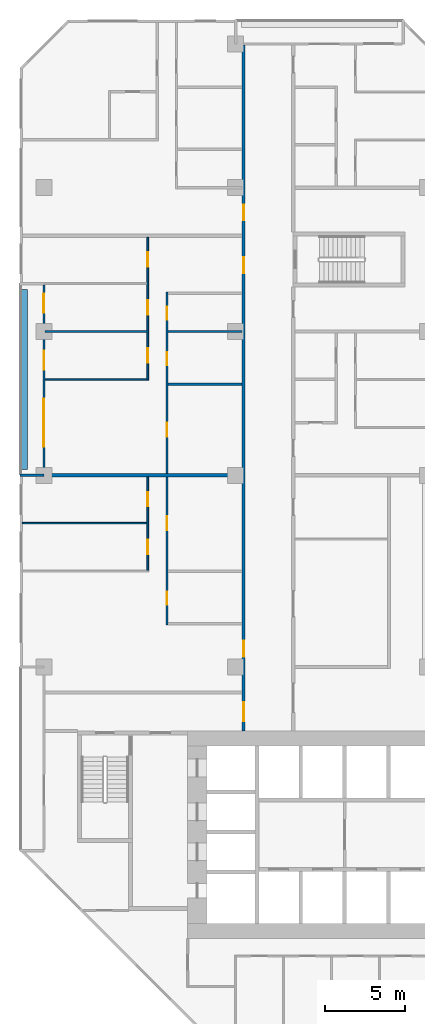
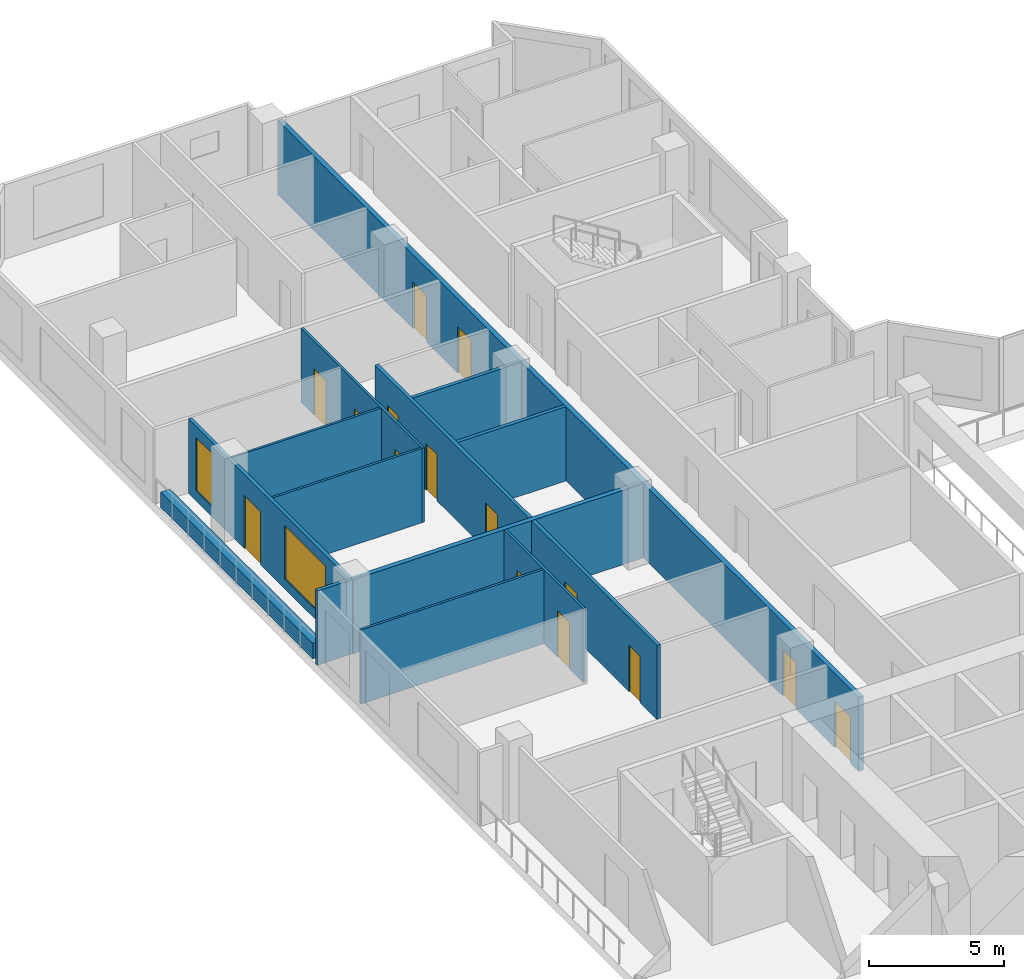
# One storey, part 9 of 15: 15 doors, 14 walls, 2 windows, 17 openings.
"""IFC4 building model written with IfcOpenShell, lengths in metres."""

from ifc_helpers import new_model, si_unit, direction, frame, frame_2d, origin, place, context, subcontext, project, spatial, rectangle, extrude, material, layer, layer_set, type_object, element, fill, save


model = new_model("IFC4")

# Units and contexts
model_context = context("Model", 3, precision=1e-05, world=origin(), true_north=direction((0.0, 1.0)))
body_context = subcontext(model_context, "Body", "Model", "MODEL_VIEW")
ifc_project = project(units=[si_unit("LENGTHUNIT", "METRE"), si_unit("AREAUNIT", "SQUARE_METRE"), si_unit("VOLUMEUNIT", "CUBIC_METRE"), si_unit("PLANEANGLEUNIT", "RADIAN"), si_unit("MASSUNIT", "GRAM", prefix="KILO")], contexts=[model_context])

# Site, building, storey
site_placement = place(None, origin())
site = spatial("IfcSite", under=ifc_project, at=site_placement, CompositionType="ELEMENT")
building_placement = place(site_placement, origin())
building = spatial("IfcBuilding", under=site, at=building_placement, Name="Chenar Terraces", CompositionType="ELEMENT")
storey_placement = place(building_placement, frame((0.0, 0.0, 118.14990234375)))
storey = spatial("IfcBuildingStorey", under=building, at=storey_placement, Name="L27", CompositionType="ELEMENT", Elevation=118.14990234375)

# Wall, openings, doors
ifc_material_1 = material(Name="Gypsum board on steel studs with fire boards", Category="steel")
ifc_layer_1 = layer(ifc_material_1, 0.199951171875)
ifc_layer_set_1 = layer_set([ifc_layer_1], Name="Gypsum board on steel studs with fire boards")
wall_type_1 = type_object("IfcWallType", Name="Corridor wall 200", PredefinedType="PARTITIONING", material=ifc_layer_set_1)
wall_1_placement = place(storey_placement, frame((12.5, 20.0, 0.0), z_axis=(0.0, 0.0, 1.0), x_axis=(0.0, 1.0, 0.0)))
wall_1 = element("IfcWall", 1, at=wall_1_placement, inside=storey, type_object=wall_type_1, Name="Partition L27-032", PredefinedType="PARTITIONING", context=body_context, shape_type="SweptSolid", body=[
    extrude(rectangle(XDim=42.926025390625, YDim=0.199951171875, at=frame_2d((21.462890625, 0.0))), origin(), (0.0, 0.0, 1.0), 3.35009765625),
])
opening_1_placement = place(wall_1_placement, frame((28.64990234375, 0.0, 0.0)))
opening_1 = element("IfcOpeningElement", 2, at=opening_1_placement, cuts=wall_1, Name="Opening DL27-43", PredefinedType="OPENING", context=body_context, shape_type="SweptSolid", body=[
    extrude(rectangle(XDim=1.0, YDim=2.10009765625, at=frame_2d((0.5, 1.050048828125))), frame((0.0, 0.10986328125, 0.0), z_axis=(0.0, -1.0, 0.0), x_axis=(1.0, 0.0, 0.0)), (0.0, 0.0, 1.0), 0.219970703125),
])
opening_2_placement = place(wall_1_placement, frame((31.949951171875, 0.0, 0.0)))
opening_2 = element("IfcOpeningElement", 3, at=opening_2_placement, cuts=wall_1, Name="Opening DL27-51", PredefinedType="OPENING", context=body_context, shape_type="SweptSolid", body=[
    extrude(rectangle(XDim=1.0, YDim=2.10009765625, at=frame_2d((0.5, 1.050048828125))), frame((0.0, 0.10986328125, 0.0), z_axis=(0.0, -1.0, 0.0), x_axis=(1.0, 0.0, 0.0)), (0.0, 0.0, 1.0), 0.219970703125),
])
opening_3_placement = place(wall_1_placement, frame((0.60009765625, 0.0, 0.0)))
opening_3 = element("IfcOpeningElement", 4, at=opening_3_placement, cuts=wall_1, Name="Opening DL27-54", PredefinedType="OPENING", context=body_context, shape_type="SweptSolid", body=[
    extrude(rectangle(XDim=1.199951171875, YDim=2.10009765625, at=frame_2d((0.60009765625, 1.050048828125))), frame((0.0, 0.10986328125, 0.0), z_axis=(0.0, -1.0, 0.0), x_axis=(1.0, 0.0, 0.0)), (0.0, 0.0, 1.0), 0.219970703125),
])
opening_4_placement = place(wall_1_placement, frame((4.64990234375, 0.0, 0.0)))
opening_4 = element("IfcOpeningElement", 5, at=opening_4_placement, cuts=wall_1, Name="Opening DL27-74", PredefinedType="OPENING", context=body_context, shape_type="SweptSolid", body=[
    extrude(rectangle(XDim=1.0, YDim=2.10009765625, at=frame_2d((0.5, 1.050048828125))), frame((0.0, 0.10986328125, 0.0), z_axis=(0.0, -1.0, 0.0), x_axis=(1.0, 0.0, 0.0)), (0.0, 0.0, 1.0), 0.219970703125),
])
ifc_material_2 = material(Name="Steel-framed fire-resisting door leaf", Category="steel")
door_type_1 = type_object("IfcDoorType", Name="Fire door FD30S 1000 x 2100", OperationType="SINGLE_SWING_LEFT", PredefinedType="DOOR", material=ifc_material_2)
door_1_placement = place(opening_1_placement, origin())
door_1 = element("IfcDoor", 6, at=door_1_placement, inside=storey, type_object=door_type_1, Name="Door DL27-43", OperationType="SINGLE_SWING_LEFT", OverallHeight=2.10009765625, OverallWidth=1.0, PredefinedType="DOOR", context=body_context, shape_type="SweptSolid", body=[
    extrude(rectangle(XDim=1.0, YDim=2.10009765625, at=frame_2d((0.5, 1.050048828125))), frame((0.0, 0.02490234375, 0.0), z_axis=(0.0, -1.0, 0.0), x_axis=(1.0, 0.0, 0.0)), (0.0, 0.0, 1.0), 0.050048828125),
])
fill(opening_1, door_1)
door_2_placement = place(opening_2_placement, origin())
door_2 = element("IfcDoor", 7, at=door_2_placement, inside=storey, type_object=door_type_1, Name="Door DL27-51", OperationType="SINGLE_SWING_RIGHT", OverallHeight=2.10009765625, OverallWidth=1.0, PredefinedType="DOOR", context=body_context, shape_type="SweptSolid", body=[
    extrude(rectangle(XDim=1.0, YDim=2.10009765625, at=frame_2d((0.5, 1.050048828125))), frame((0.0, 0.02490234375, 0.0), z_axis=(0.0, -1.0, 0.0), x_axis=(1.0, 0.0, 0.0)), (0.0, 0.0, 1.0), 0.050048828125),
])
fill(opening_2, door_2)
door_3_placement = place(opening_4_placement, origin())
door_3 = element("IfcDoor", 8, at=door_3_placement, inside=storey, type_object=door_type_1, Name="Door DL27-74", OperationType="SINGLE_SWING_LEFT", OverallHeight=2.10009765625, OverallWidth=1.0, PredefinedType="DOOR", context=body_context, shape_type="SweptSolid", body=[
    extrude(rectangle(XDim=1.0, YDim=2.10009765625, at=frame_2d((0.5, 1.050048828125))), frame((0.0, 0.02490234375, 0.0), z_axis=(0.0, -1.0, 0.0), x_axis=(1.0, 0.0, 0.0)), (0.0, 0.0, 1.0), 0.050048828125),
])
fill(opening_4, door_3)
ifc_material_3 = material(Name="Steel-framed fire-resisting door leaf", Category="steel")
door_type_2 = type_object("IfcDoorType", Name="Fire door FD30S 1200 x 2100", OperationType="SINGLE_SWING_LEFT", PredefinedType="DOOR", material=ifc_material_3)
door_4_placement = place(opening_3_placement, origin())
door_4 = element("IfcDoor", 9, at=door_4_placement, inside=storey, type_object=door_type_2, Name="Door DL27-54", OperationType="SINGLE_SWING_RIGHT", OverallHeight=2.10009765625, OverallWidth=1.199951171875, PredefinedType="DOOR", context=body_context, shape_type="SweptSolid", body=[
    extrude(rectangle(XDim=1.199951171875, YDim=2.10009765625, at=frame_2d((0.60009765625, 1.050048828125))), frame((0.0, 0.02490234375, 0.0), z_axis=(0.0, -1.0, 0.0), x_axis=(1.0, 0.0, 0.0)), (0.0, 0.0, 1.0), 0.050048828125),
])
fill(opening_3, door_4)

# Wall, openings, windows, door
ifc_material_4 = material(Name="Aluminium framed glazing", Category="aluminium")
ifc_layer_2 = layer(ifc_material_4, 0.14990234375)
ifc_layer_set_2 = layer_set([ifc_layer_2], Name="Aluminium framed glazing")
wall_type_2 = type_object("IfcWallType", Name="Glazed loggia back wall 150", PredefinedType="SOLIDWALL", material=ifc_layer_set_2)
wall_2_placement = place(storey_placement, frame((0.0, 47.925048828125, 0.0), z_axis=(0.0, 0.0, 1.0), x_axis=(0.0, -1.0, 0.0)))
wall_2 = element("IfcWall", 10, at=wall_2_placement, inside=storey, type_object=wall_type_2, Name="Glazed loggia back wall", PredefinedType="SOLIDWALL", context=body_context, shape_type="SweptSolid", body=[
    extrude(rectangle(XDim=11.85009765625, YDim=0.14990234375, at=frame_2d((5.925048828125, 0.0))), origin(), (0.0, 0.0, 1.0), 3.35009765625),
])
opening_5_placement = place(wall_2_placement, frame((0.5625, 0.0, 0.449951171875)))
opening_5 = element("IfcOpeningElement", 11, at=opening_5_placement, cuts=wall_2, Name="Opening W120x240", PredefinedType="OPENING", context=body_context, shape_type="SweptSolid", body=[
    extrude(rectangle(XDim=1.199951171875, YDim=2.39990234375, at=frame_2d((0.60009765625, 1.199951171875))), frame((0.0, 0.0849609375, 0.0), z_axis=(0.0, -1.0, 0.0), x_axis=(1.0, 0.0, 0.0)), (0.0, 0.0, 1.0), 0.169921875),
])
opening_6_placement = place(wall_2_placement, frame((4.125, 0.0, 0.0)))
opening_6 = element("IfcOpeningElement", 12, at=opening_6_placement, cuts=wall_2, Name="Opening DL27-G4", PredefinedType="OPENING", context=body_context, shape_type="SweptSolid", body=[
    extrude(rectangle(XDim=1.199951171875, YDim=2.39990234375, at=frame_2d((0.60009765625, 1.199951171875))), frame((0.0, 0.0849609375, 0.0), z_axis=(0.0, -1.0, 0.0), x_axis=(1.0, 0.0, 0.0)), (0.0, 0.0, 1.0), 0.169921875),
])
opening_7_placement = place(wall_2_placement, frame((7.125, 0.0, 0.449951171875)))
opening_7 = element("IfcOpeningElement", 13, at=opening_7_placement, cuts=wall_2, Name="Opening W300x240", PredefinedType="OPENING", context=body_context, shape_type="SweptSolid", body=[
    extrude(rectangle(XDim=3.0, YDim=2.39990234375, at=frame_2d((1.5, 1.199951171875))), frame((0.0, 0.0849609375, 0.0), z_axis=(0.0, -1.0, 0.0), x_axis=(1.0, 0.0, 0.0)), (0.0, 0.0, 1.0), 0.169921875),
])
ifc_material_5 = material(Name="Low emissivity double glazing, aluminium frame", Category="aluminium")
window_type_1 = type_object("IfcWindowType", Name="Fixed light 1200 x 2400", PartitioningType="SINGLE_PANEL", PredefinedType="WINDOW", material=ifc_material_5)
window_1_placement = place(opening_5_placement, origin())
window_1 = element("IfcWindow", 14, at=window_1_placement, inside=storey, type_object=window_type_1, Name="Window", OverallHeight=2.39990234375, OverallWidth=1.199951171875, PartitioningType="SINGLE_PANEL", PredefinedType="WINDOW", context=body_context, shape_type="SweptSolid", body=[
    extrude(rectangle(XDim=1.199951171875, YDim=2.39990234375, at=frame_2d((0.60009765625, 1.199951171875))), frame((0.0, 0.030029296875, 0.0), z_axis=(0.0, -1.0, 0.0), x_axis=(1.0, 0.0, 0.0)), (0.0, 0.0, 1.0), 0.06005859375),
])
fill(opening_5, window_1)
ifc_material_6 = material(Name="Low emissivity double glazing, aluminium frame", Category="aluminium")
window_type_2 = type_object("IfcWindowType", Name="Fixed light 3000 x 2400", PartitioningType="SINGLE_PANEL", PredefinedType="WINDOW", material=ifc_material_6)
window_2_placement = place(opening_7_placement, origin())
window_2 = element("IfcWindow", 15, at=window_2_placement, inside=storey, type_object=window_type_2, Name="Window", OverallHeight=2.39990234375, OverallWidth=3.0, PartitioningType="SINGLE_PANEL", PredefinedType="WINDOW", context=body_context, shape_type="SweptSolid", body=[
    extrude(rectangle(XDim=3.0, YDim=2.39990234375, at=frame_2d((1.5, 1.199951171875))), frame((0.0, 0.030029296875, 0.0), z_axis=(0.0, -1.0, 0.0), x_axis=(1.0, 0.0, 0.0)), (0.0, 0.0, 1.0), 0.06005859375),
])
fill(opening_7, window_2)
ifc_material_7 = material(Name="Low emissivity double glazing, aluminium frame", Category="aluminium")
door_type_3 = type_object("IfcDoorType", Name="Loggia glazed double door 1200 x 2400", OperationType="DOUBLE_DOOR_SINGLE_SWING", PredefinedType="DOOR", material=ifc_material_7)
door_5_placement = place(opening_6_placement, frame((1.199951171875, 0.0, 0.0), z_axis=(0.0, 0.0, 1.0), x_axis=(-1.0, 0.0, 0.0)))
door_5 = element("IfcDoor", 16, at=door_5_placement, inside=storey, type_object=door_type_3, Name="Loggia glazed door", OperationType="DOUBLE_DOOR_SINGLE_SWING", OverallHeight=2.39990234375, OverallWidth=1.199951171875, PredefinedType="DOOR", context=body_context, shape_type="SweptSolid", body=[
    extrude(rectangle(XDim=1.199951171875, YDim=2.39990234375, at=frame_2d((0.60009765625, 1.199951171875))), frame((0.0, 0.02490234375, 0.0), z_axis=(0.0, -1.0, 0.0), x_axis=(1.0, 0.0, 0.0)), (0.0, 0.0, 1.0), 0.050048828125),
])
fill(opening_6, door_5)

# Walls
ifc_material_8 = material(Name="Gypsum board on steel studs", Category="steel")
ifc_layer_3 = layer(ifc_material_8, 0.10009765625)
ifc_layer_set_3 = layer_set([ifc_layer_3], Name="Gypsum board on steel studs")
wall_type_3 = type_object("IfcWallType", Name="Gypsum partition 100", PredefinedType="PARTITIONING", material=ifc_layer_set_3)
wall_3_placement = place(storey_placement, frame((-1.35107421875, 33.0, 0.0), z_axis=(0.0, 0.0, 1.0), x_axis=(1.0, 0.0, 0.0)))
element("IfcWall", 17, at=wall_3_placement, inside=storey, type_object=wall_type_3, Name="Partition L27-001", PredefinedType="PARTITIONING", context=body_context, shape_type="SweptSolid", body=[
    extrude(rectangle(XDim=7.801025390625, YDim=0.10009765625, at=frame_2d((3.900390625, 0.0))), origin(), (0.0, 0.0, 1.0), 3.35009765625),
])
for number, where, z_axis, x_axis, name in (
    (18, (0.073974609375, 42.0, 0.0), (0.0, 0.0, 1.0), (1.0, 0.0, 0.0), "Partition L27-009"),
    (19, (0.073974609375, 45.0, 0.0), (0.0, 0.0, 1.0), (1.0, 0.0, 0.0), "Partition L27-010"),
):
    element("IfcWall", number, at=place(storey_placement, frame(where, z_axis=z_axis, x_axis=x_axis)), inside=storey, type_object=wall_type_3, Name=name, PredefinedType="PARTITIONING", context=body_context, shape_type="SweptSolid", body=[
        extrude(rectangle(XDim=6.3759765625, YDim=0.10009765625, at=frame_2d((3.18798828125, 0.0))), origin(), (0.0, 0.0, 1.0), 3.35009765625),
    ])

# Wall, openings, doors
wall_4_placement = place(storey_placement, frame((6.5, 30.050048828125, 0.0), z_axis=(0.0, 0.0, 1.0), x_axis=(0.0, 1.0, 0.0)))
wall_4 = element("IfcWall", 20, at=wall_4_placement, inside=storey, type_object=wall_type_3, Name="Partition L27-014", PredefinedType="PARTITIONING", context=body_context, shape_type="SweptSolid", body=[
    extrude(rectangle(XDim=5.849853515625, YDim=0.10009765625, at=frame_2d((2.9248046875, 0.0))), origin(), (0.0, 0.0, 1.0), 3.35009765625),
])
opening_8_placement = place(wall_4_placement, frame((1.0, 0.0, 0.0)))
opening_8 = element("IfcOpeningElement", 21, at=opening_8_placement, cuts=wall_4, Name="Opening DL27-71", PredefinedType="OPENING", context=body_context, shape_type="SweptSolid", body=[
    extrude(rectangle(XDim=0.89990234375, YDim=2.10009765625, at=frame_2d((0.449951171875, 1.050048828125))), frame((0.0, 0.06005859375, 0.0), z_axis=(0.0, -1.0, 0.0), x_axis=(1.0, 0.0, 0.0)), (0.0, 0.0, 1.0), 0.1201171875),
])
opening_9_placement = place(wall_4_placement, frame((4.0, 0.0, 0.0)))
opening_9 = element("IfcOpeningElement", 22, at=opening_9_placement, cuts=wall_4, Name="Opening DL27-72", PredefinedType="OPENING", context=body_context, shape_type="SweptSolid", body=[
    extrude(rectangle(XDim=0.89990234375, YDim=2.10009765625, at=frame_2d((0.449951171875, 1.050048828125))), frame((0.0, 0.06005859375, 0.0), z_axis=(0.0, -1.0, 0.0), x_axis=(1.0, 0.0, 0.0)), (0.0, 0.0, 1.0), 0.1201171875),
])
ifc_material_9 = material(Name="Veneered timber door leaf", Category="wood")
door_type_4 = type_object("IfcDoorType", Name="Door 900 x 2100", OperationType="SINGLE_SWING_LEFT", PredefinedType="DOOR", material=ifc_material_9)
door_6_placement = place(opening_8_placement, origin())
door_6 = element("IfcDoor", 23, at=door_6_placement, inside=storey, type_object=door_type_4, Name="Door DL27-71", OperationType="SINGLE_SWING_RIGHT", OverallHeight=2.10009765625, OverallWidth=0.89990234375, PredefinedType="DOOR", context=body_context, shape_type="SweptSolid", body=[
    extrude(rectangle(XDim=0.89990234375, YDim=2.10009765625, at=frame_2d((0.449951171875, 1.050048828125))), frame((0.0, 0.02490234375, 0.0), z_axis=(0.0, -1.0, 0.0), x_axis=(1.0, 0.0, 0.0)), (0.0, 0.0, 1.0), 0.050048828125),
])
fill(opening_8, door_6)
door_7_placement = place(opening_9_placement, origin())
door_7 = element("IfcDoor", 24, at=door_7_placement, inside=storey, type_object=door_type_4, Name="Door DL27-72", OperationType="SINGLE_SWING_RIGHT", OverallHeight=2.10009765625, OverallWidth=0.89990234375, PredefinedType="DOOR", context=body_context, shape_type="SweptSolid", body=[
    extrude(rectangle(XDim=0.89990234375, YDim=2.10009765625, at=frame_2d((0.449951171875, 1.050048828125))), frame((0.0, 0.02490234375, 0.0), z_axis=(0.0, -1.0, 0.0), x_axis=(1.0, 0.0, 0.0)), (0.0, 0.0, 1.0), 0.050048828125),
])
fill(opening_9, door_7)

wall_5_placement = place(storey_placement, frame((6.5, 41.949951171875, 0.0), z_axis=(0.0, 0.0, 1.0), x_axis=(0.0, 1.0, 0.0)))
wall_5 = element("IfcWall", 25, at=wall_5_placement, inside=storey, type_object=wall_type_3, Name="Partition L27-015", PredefinedType="PARTITIONING", context=body_context, shape_type="SweptSolid", body=[
    extrude(rectangle(XDim=8.949951171875, YDim=0.10009765625, at=frame_2d((4.47509765625, 0.0))), origin(), (0.0, 0.0, 1.0), 3.35009765625),
])
opening_10_placement = place(wall_5_placement, frame((1.10009765625, 0.0, 0.0)))
opening_10 = element("IfcOpeningElement", 26, at=opening_10_placement, cuts=wall_5, Name="Opening DL27-40", PredefinedType="OPENING", context=body_context, shape_type="SweptSolid", body=[
    extrude(rectangle(XDim=0.89990234375, YDim=2.10009765625, at=frame_2d((0.449951171875, 1.050048828125))), frame((0.0, 0.06005859375, 0.0), z_axis=(0.0, -1.0, 0.0), x_axis=(1.0, 0.0, 0.0)), (0.0, 0.0, 1.0), 0.1201171875),
])
opening_11_placement = place(wall_5_placement, frame((7.10009765625, 0.0, 0.0)))
opening_11 = element("IfcOpeningElement", 27, at=opening_11_placement, cuts=wall_5, Name="Opening DL27-41", PredefinedType="OPENING", context=body_context, shape_type="SweptSolid", body=[
    extrude(rectangle(XDim=0.89990234375, YDim=2.10009765625, at=frame_2d((0.449951171875, 1.050048828125))), frame((0.0, 0.06005859375, 0.0), z_axis=(0.0, -1.0, 0.0), x_axis=(1.0, 0.0, 0.0)), (0.0, 0.0, 1.0), 0.1201171875),
])
opening_12_placement = place(wall_5_placement, frame((4.10009765625, 0.0, 0.0)))
opening_12 = element("IfcOpeningElement", 28, at=opening_12_placement, cuts=wall_5, Name="Opening DL27-44", PredefinedType="OPENING", context=body_context, shape_type="SweptSolid", body=[
    extrude(rectangle(XDim=0.89990234375, YDim=2.10009765625, at=frame_2d((0.449951171875, 1.050048828125))), frame((0.0, 0.06005859375, 0.0), z_axis=(0.0, -1.0, 0.0), x_axis=(1.0, 0.0, 0.0)), (0.0, 0.0, 1.0), 0.1201171875),
])
door_8_placement = place(opening_10_placement, origin())
door_8 = element("IfcDoor", 29, at=door_8_placement, inside=storey, type_object=door_type_4, Name="Door DL27-40", OperationType="SINGLE_SWING_LEFT", OverallHeight=2.10009765625, OverallWidth=0.89990234375, PredefinedType="DOOR", context=body_context, shape_type="SweptSolid", body=[
    extrude(rectangle(XDim=0.89990234375, YDim=2.10009765625, at=frame_2d((0.449951171875, 1.050048828125))), frame((0.0, 0.02490234375, 0.0), z_axis=(0.0, -1.0, 0.0), x_axis=(1.0, 0.0, 0.0)), (0.0, 0.0, 1.0), 0.050048828125),
])
fill(opening_10, door_8)
door_9_placement = place(opening_11_placement, origin())
door_9 = element("IfcDoor", 30, at=door_9_placement, inside=storey, type_object=door_type_4, Name="Door DL27-41", OperationType="SINGLE_SWING_RIGHT", OverallHeight=2.10009765625, OverallWidth=0.89990234375, PredefinedType="DOOR", context=body_context, shape_type="SweptSolid", body=[
    extrude(rectangle(XDim=0.89990234375, YDim=2.10009765625, at=frame_2d((0.449951171875, 1.050048828125))), frame((0.0, 0.02490234375, 0.0), z_axis=(0.0, -1.0, 0.0), x_axis=(1.0, 0.0, 0.0)), (0.0, 0.0, 1.0), 0.050048828125),
])
fill(opening_11, door_9)
door_10_placement = place(opening_12_placement, origin())
door_10 = element("IfcDoor", 31, at=door_10_placement, inside=storey, type_object=door_type_4, Name="Door DL27-44", OperationType="SINGLE_SWING_LEFT", OverallHeight=2.10009765625, OverallWidth=0.89990234375, PredefinedType="DOOR", context=body_context, shape_type="SweptSolid", body=[
    extrude(rectangle(XDim=0.89990234375, YDim=2.10009765625, at=frame_2d((0.449951171875, 1.050048828125))), frame((0.0, 0.02490234375, 0.0), z_axis=(0.0, -1.0, 0.0), x_axis=(1.0, 0.0, 0.0)), (0.0, 0.0, 1.0), 0.050048828125),
])
fill(opening_12, door_10)

# Walls
ifc_material_10 = material(Name="Terracotta cladding on insulated backing", Category="masonry")
ifc_layer_4 = layer(ifc_material_10, 0.14990234375)
ifc_layer_set_4 = layer_set([ifc_layer_4], Name="Terracotta cladding on insulated backing")
wall_type_4 = type_object("IfcWallType", Name="Loggia return wall 150", PredefinedType="SOLIDWALL", material=ifc_layer_set_4)
wall_6_placement = place(storey_placement, frame((-1.5, 36.0, 0.0), z_axis=(0.0, 0.0, 1.0), x_axis=(1.0, 0.0, 0.0)))
element("IfcWall", 32, at=wall_6_placement, inside=storey, type_object=wall_type_4, Name="Loggia return wall", PredefinedType="SOLIDWALL", context=body_context, shape_type="SweptSolid", body=[
    extrude(rectangle(XDim=1.5, YDim=0.14990234375, at=frame_2d((0.75, 0.0))), origin(), (0.0, 0.0, 1.0), 3.35009765625),
])
ifc_material_11 = material(Name="Twin gypsum board on steel studs with mineral wool", Category="steel")
ifc_layer_5 = layer(ifc_material_11, 0.199951171875)
ifc_layer_set_5 = layer_set([ifc_layer_5], Name="Twin gypsum board on steel studs with mineral wool")
wall_type_5 = type_object("IfcWallType", Name="Unit demising wall 200", PredefinedType="PARTITIONING", material=ifc_layer_set_5)
wall_7_placement = place(storey_placement, frame((0.0, 36.0, 0.0), z_axis=(0.0, 0.0, 1.0), x_axis=(1.0, 0.0, 0.0)))
element("IfcWall", 33, at=wall_7_placement, inside=storey, type_object=wall_type_5, Name="Partition L27-003", PredefinedType="PARTITIONING", context=body_context, shape_type="SweptSolid", body=[
    extrude(rectangle(XDim=12.39990234375, YDim=0.199951171875, at=frame_2d((6.199951171875, 0.0))), origin(), (0.0, 0.0, 1.0), 3.35009765625),
])
ifc_material_12 = material(Name="GRP planter trough")
ifc_layer_6 = layer(ifc_material_12, 0.39990234375)
ifc_layer_set_6 = layer_set([ifc_layer_6], Name="GRP planter trough")
wall_type_6 = type_object("IfcWallType", Name="Vertical greenery planter 400", PredefinedType="SOLIDWALL", material=ifc_layer_set_6)
wall_8_placement = place(storey_placement, frame((-1.22900390625, 47.625, 0.0), z_axis=(0.0, 0.0, 1.0), x_axis=(0.0, -1.0, 0.0)))
element("IfcWall", 34, at=wall_8_placement, inside=storey, type_object=wall_type_6, Name="Vertical greenery planter", PredefinedType="SOLIDWALL", context=body_context, shape_type="SweptSolid", body=[
    extrude(rectangle(XDim=11.25, YDim=0.39990234375, at=frame_2d((5.625, 0.0))), origin(), (0.0, 0.0, 1.0), 0.7001953125),
])

# Wall, openings, doors
ifc_material_13 = material(Name="Moisture-resistant gypsum board on steel studs", Category="steel")
ifc_layer_7 = layer(ifc_material_13, 0.14990234375)
ifc_layer_set_7 = layer_set([ifc_layer_7], Name="Moisture-resistant gypsum board on steel studs")
wall_type_7 = type_object("IfcWallType", Name="Wet-room partition 150", PredefinedType="PARTITIONING", material=ifc_layer_set_7)
wall_9_placement = place(storey_placement, frame((7.699951171875, 26.625, 0.0), z_axis=(0.0, 0.0, 1.0), x_axis=(0.0, 1.0, 0.0)))
wall_9 = element("IfcWall", 35, at=wall_9_placement, inside=storey, type_object=wall_type_7, Name="Partition L27-017", PredefinedType="PARTITIONING", context=body_context, shape_type="SweptSolid", body=[
    extrude(rectangle(XDim=9.27490234375, YDim=0.14990234375, at=frame_2d((4.637451171875, 0.0))), origin(), (0.0, 0.0, 1.0), 3.35009765625),
])
opening_13_placement = place(wall_9_placement, frame((1.27490234375, 0.0, 0.0)))
opening_13 = element("IfcOpeningElement", 36, at=opening_13_placement, cuts=wall_9, Name="Opening DL27-70", PredefinedType="OPENING", context=body_context, shape_type="SweptSolid", body=[
    extrude(rectangle(XDim=0.800048828125, YDim=2.10009765625, at=frame_2d((0.39990234375, 1.050048828125))), frame((0.0, 0.0849609375, 0.0), z_axis=(0.0, -1.0, 0.0), x_axis=(1.0, 0.0, 0.0)), (0.0, 0.0, 1.0), 0.169921875),
])
opening_14_placement = place(wall_9_placement, frame((5.925048828125, 0.0, 0.0)))
opening_14 = element("IfcOpeningElement", 37, at=opening_14_placement, cuts=wall_9, Name="Opening DL27-73", PredefinedType="OPENING", context=body_context, shape_type="SweptSolid", body=[
    extrude(rectangle(XDim=0.89990234375, YDim=2.10009765625, at=frame_2d((0.449951171875, 1.050048828125))), frame((0.0, 0.0849609375, 0.0), z_axis=(0.0, -1.0, 0.0), x_axis=(1.0, 0.0, 0.0)), (0.0, 0.0, 1.0), 0.169921875),
])
ifc_material_14 = material(Name="Veneered timber door leaf", Category="wood")
door_type_5 = type_object("IfcDoorType", Name="Door 800 x 2100", OperationType="SINGLE_SWING_LEFT", PredefinedType="DOOR", material=ifc_material_14)
door_11_placement = place(opening_13_placement, frame((0.800048828125, 0.0, 0.0), z_axis=(0.0, 0.0, 1.0), x_axis=(-1.0, 0.0, 0.0)))
door_11 = element("IfcDoor", 38, at=door_11_placement, inside=storey, type_object=door_type_5, Name="Door DL27-70", OperationType="SINGLE_SWING_RIGHT", OverallHeight=2.10009765625, OverallWidth=0.800048828125, PredefinedType="DOOR", context=body_context, shape_type="SweptSolid", body=[
    extrude(rectangle(XDim=0.800048828125, YDim=2.10009765625, at=frame_2d((0.39990234375, 1.050048828125))), frame((0.0, 0.02490234375, 0.0), z_axis=(0.0, -1.0, 0.0), x_axis=(1.0, 0.0, 0.0)), (0.0, 0.0, 1.0), 0.050048828125),
])
fill(opening_13, door_11)
door_12_placement = place(opening_14_placement, frame((0.89990234375, 0.0, 0.0), z_axis=(0.0, 0.0, 1.0), x_axis=(-1.0, 0.0, 0.0)))
door_12 = element("IfcDoor", 39, at=door_12_placement, inside=storey, type_object=door_type_4, Name="Door DL27-73", OperationType="SINGLE_SWING_RIGHT", OverallHeight=2.10009765625, OverallWidth=0.89990234375, PredefinedType="DOOR", context=body_context, shape_type="SweptSolid", body=[
    extrude(rectangle(XDim=0.89990234375, YDim=2.10009765625, at=frame_2d((0.449951171875, 1.050048828125))), frame((0.0, 0.02490234375, 0.0), z_axis=(0.0, -1.0, 0.0), x_axis=(1.0, 0.0, 0.0)), (0.0, 0.0, 1.0), 0.050048828125),
])
fill(opening_14, door_12)

wall_10_placement = place(storey_placement, frame((7.699951171875, 36.10009765625, 0.0), z_axis=(0.0, 0.0, 1.0), x_axis=(0.0, 1.0, 0.0)))
wall_10 = element("IfcWall", 40, at=wall_10_placement, inside=storey, type_object=wall_type_7, Name="Partition L27-018", PredefinedType="PARTITIONING", context=body_context, shape_type="SweptSolid", body=[
    extrude(rectangle(XDim=11.375, YDim=0.14990234375, at=frame_2d((5.6875, 0.0))), origin(), (0.0, 0.0, 1.0), 3.35009765625),
])
opening_15_placement = place(wall_10_placement, frame((9.64990234375, 0.0, 0.0)))
opening_15 = element("IfcOpeningElement", 41, at=opening_15_placement, cuts=wall_10, Name="Opening DL27-39", PredefinedType="OPENING", context=body_context, shape_type="SweptSolid", body=[
    extrude(rectangle(XDim=0.800048828125, YDim=2.10009765625, at=frame_2d((0.39990234375, 1.050048828125))), frame((0.0, 0.0849609375, 0.0), z_axis=(0.0, -1.0, 0.0), x_axis=(1.0, 0.0, 0.0)), (0.0, 0.0, 1.0), 0.169921875),
])
opening_16_placement = place(wall_10_placement, frame((2.300048828125, 0.0, 0.0)))
opening_16 = element("IfcOpeningElement", 42, at=opening_16_placement, cuts=wall_10, Name="Opening DL27-42", PredefinedType="OPENING", context=body_context, shape_type="SweptSolid", body=[
    extrude(rectangle(XDim=0.89990234375, YDim=2.10009765625, at=frame_2d((0.449951171875, 1.050048828125))), frame((0.0, 0.0849609375, 0.0), z_axis=(0.0, -1.0, 0.0), x_axis=(1.0, 0.0, 0.0)), (0.0, 0.0, 1.0), 0.169921875),
])
opening_17_placement = place(wall_10_placement, frame((6.800048828125, 0.0, 0.0)))
opening_17 = element("IfcOpeningElement", 43, at=opening_17_placement, cuts=wall_10, Name="Opening DL27-45", PredefinedType="OPENING", context=body_context, shape_type="SweptSolid", body=[
    extrude(rectangle(XDim=0.800048828125, YDim=2.10009765625, at=frame_2d((0.39990234375, 1.050048828125))), frame((0.0, 0.0849609375, 0.0), z_axis=(0.0, -1.0, 0.0), x_axis=(1.0, 0.0, 0.0)), (0.0, 0.0, 1.0), 0.169921875),
])
door_13_placement = place(opening_15_placement, frame((0.800048828125, 0.0, 0.0), z_axis=(0.0, 0.0, 1.0), x_axis=(-1.0, 0.0, 0.0)))
door_13 = element("IfcDoor", 44, at=door_13_placement, inside=storey, type_object=door_type_5, Name="Door DL27-39", OperationType="SINGLE_SWING_RIGHT", OverallHeight=2.10009765625, OverallWidth=0.800048828125, PredefinedType="DOOR", context=body_context, shape_type="SweptSolid", body=[
    extrude(rectangle(XDim=0.800048828125, YDim=2.10009765625, at=frame_2d((0.39990234375, 1.050048828125))), frame((0.0, 0.02490234375, 0.0), z_axis=(0.0, -1.0, 0.0), x_axis=(1.0, 0.0, 0.0)), (0.0, 0.0, 1.0), 0.050048828125),
])
fill(opening_15, door_13)
door_14_placement = place(opening_17_placement, frame((0.800048828125, 0.0, 0.0), z_axis=(0.0, 0.0, 1.0), x_axis=(-1.0, 0.0, 0.0)))
door_14 = element("IfcDoor", 45, at=door_14_placement, inside=storey, type_object=door_type_5, Name="Door DL27-45", OperationType="SINGLE_SWING_RIGHT", OverallHeight=2.10009765625, OverallWidth=0.800048828125, PredefinedType="DOOR", context=body_context, shape_type="SweptSolid", body=[
    extrude(rectangle(XDim=0.800048828125, YDim=2.10009765625, at=frame_2d((0.39990234375, 1.050048828125))), frame((0.0, 0.02490234375, 0.0), z_axis=(0.0, -1.0, 0.0), x_axis=(1.0, 0.0, 0.0)), (0.0, 0.0, 1.0), 0.050048828125),
])
fill(opening_17, door_14)
door_15_placement = place(opening_16_placement, frame((0.89990234375, 0.0, 0.0), z_axis=(0.0, 0.0, 1.0), x_axis=(-1.0, 0.0, 0.0)))
door_15 = element("IfcDoor", 46, at=door_15_placement, inside=storey, type_object=door_type_4, Name="Door DL27-42", OperationType="SINGLE_SWING_RIGHT", OverallHeight=2.10009765625, OverallWidth=0.89990234375, PredefinedType="DOOR", context=body_context, shape_type="SweptSolid", body=[
    extrude(rectangle(XDim=0.89990234375, YDim=2.10009765625, at=frame_2d((0.449951171875, 1.050048828125))), frame((0.0, 0.02490234375, 0.0), z_axis=(0.0, -1.0, 0.0), x_axis=(1.0, 0.0, 0.0)), (0.0, 0.0, 1.0), 0.050048828125),
])
fill(opening_16, door_15)

# Walls
for number, where, z_axis, x_axis, name in (
    (47, (7.77490234375, 41.699951171875, 0.0), (0.0, 0.0, 1.0), (1.0, 0.0, 0.0), "Partition L27-021"),
    (48, (7.77490234375, 45.0, 0.0), (0.0, 0.0, 1.0), (1.0, 0.0, 0.0), "Partition L27-022"),
):
    element("IfcWall", number, at=place(storey_placement, frame(where, z_axis=z_axis, x_axis=x_axis)), inside=storey, type_object=wall_type_7, Name=name, PredefinedType="PARTITIONING", context=body_context, shape_type="SweptSolid", body=[
        extrude(rectangle(XDim=4.625, YDim=0.14990234375, at=frame_2d((2.3125, 0.0))), origin(), (0.0, 0.0, 1.0), 3.35009765625),
    ])

save(model, "model.ifc")
